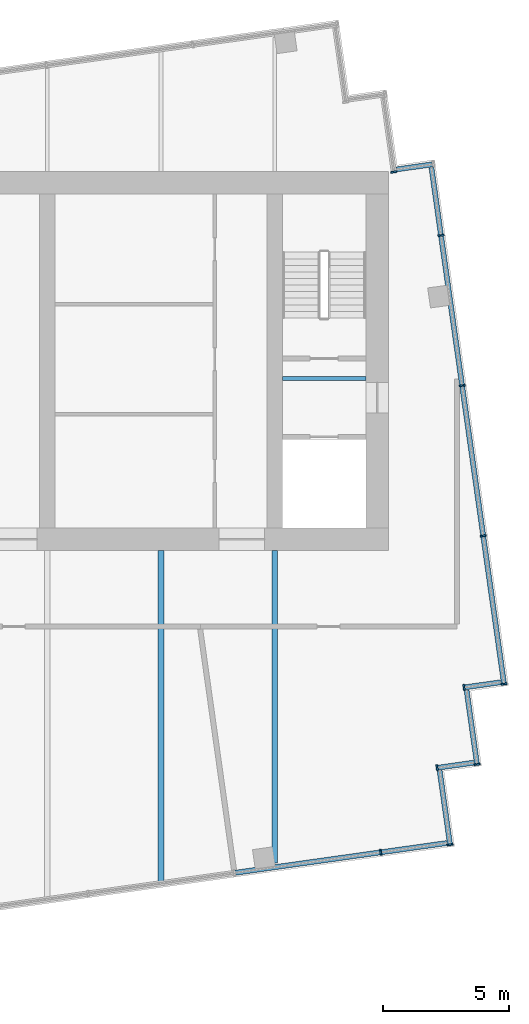
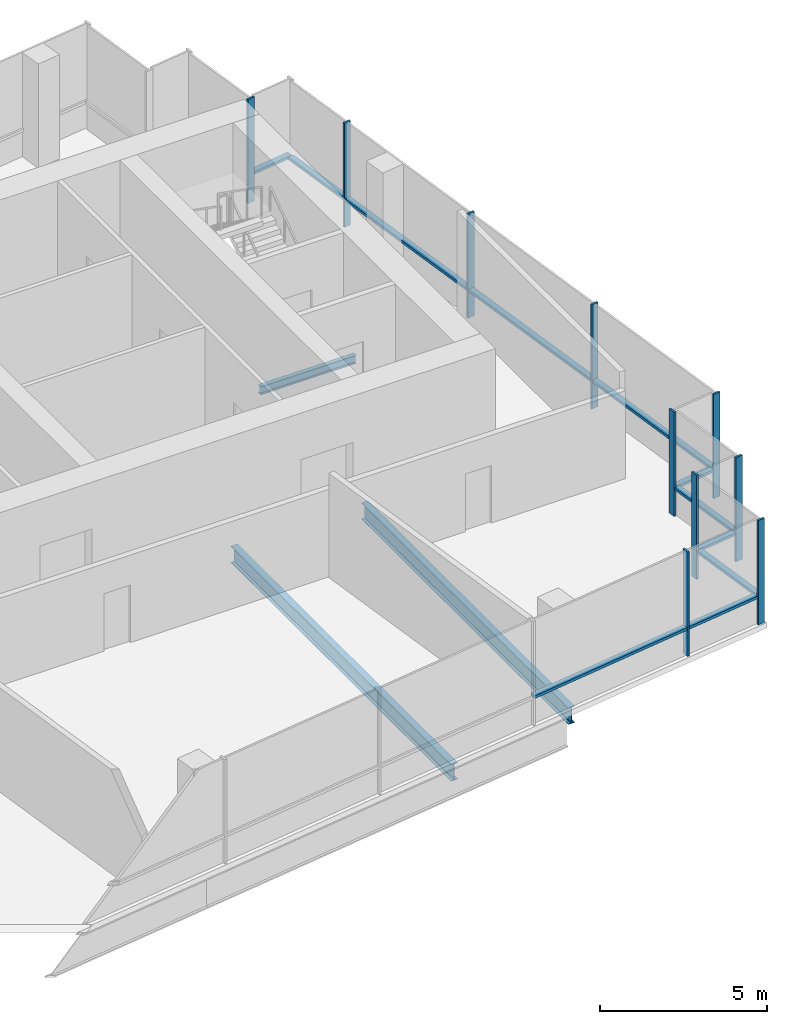
# One storey, part 4 of 9: 21 members, 3 beams, 8 elements without a shape of their own.
"""IFC4 building model written with IfcOpenShell, lengths in metres."""

from ifc_helpers import new_model, si_unit, direction, frame, origin, origin_2d, place, context, subcontext, project, spatial, rectangle, i_section, extrude, material, layer, layer_set, material_profile, profile_set, type_object, element, aggregate, save


model = new_model("IFC4")

# Units and contexts
model_context = context("Model", 3, precision=1e-05, world=origin(), true_north=direction((0.0, 1.0)))
body_context = subcontext(model_context, "Body", "Model", "MODEL_VIEW")
ifc_project = project(units=[si_unit("LENGTHUNIT", "METRE"), si_unit("AREAUNIT", "SQUARE_METRE"), si_unit("VOLUMEUNIT", "CUBIC_METRE"), si_unit("PLANEANGLEUNIT", "RADIAN"), si_unit("MASSUNIT", "GRAM", prefix="KILO")], contexts=[model_context])

# Site, building, storey
site_placement = place(None, origin())
site = spatial("IfcSite", under=ifc_project, at=site_placement, CompositionType="ELEMENT")
building_placement = place(site_placement, origin())
building = spatial("IfcBuilding", under=site, at=building_placement, Name="Rattan Terrace Tower", CompositionType="ELEMENT")
storey_placement = place(building_placement, frame((0.0, 0.0, 296.300048828125)))
storey = spatial("IfcBuildingStorey", under=building, at=storey_placement, Name="C02", CompositionType="ELEMENT", Elevation=296.300048828125)

# Beams
ifc_material_1 = material(Name="Steel S355", Category="steel")
ifc_material_profile_1 = material_profile(ifc_material_1, i_section(OverallWidth=0.14990234375, OverallDepth=0.300048828125, WebThickness=0.007080078125, FlangeThickness=0.0107421875, FilletRadius=0.014892578125, at=origin_2d()), Name="IPE 300")
ifc_profile_set_1 = profile_set([ifc_material_profile_1], Name="Steel S355")
beam_type_1 = type_object("IfcBeamType", Name="Frame floor beam IPE 300", PredefinedType="JOIST", material=ifc_profile_set_1)
beam_1_placement = place(storey_placement, frame((13.800048828125, -0.695068359375, -0.35009765625), z_axis=(1.0, 0.0, 0.0), x_axis=(0.0, 1.0, 0.0)))
element("IfcBeam", 1, at=beam_1_placement, inside=storey, type_object=beam_type_1, Name="bm-C02-002", PredefinedType="JOIST", context=body_context, shape_type="SweptSolid", body=[
    extrude(i_section(OverallWidth=0.14990234375, OverallDepth=0.300048828125, WebThickness=0.007080078125, FlangeThickness=0.0107421875, FilletRadius=0.014892578125, at=origin_2d()), origin(), (0.0, 0.0, 1.0), 3.300048828125),
])
ifc_material_2 = material(Name="Steel S355", Category="steel")
ifc_material_profile_2 = material_profile(ifc_material_2, i_section(OverallWidth=0.219970703125, OverallDepth=0.60009765625, WebThickness=0.011962890625, FlangeThickness=0.01904296875, FilletRadius=0.02392578125, at=origin_2d()), Name="IPE 600")
ifc_profile_set_2 = profile_set([ifc_material_profile_2], Name="Steel S355")
beam_type_2 = type_object("IfcBeamType", Name="Frame floor beam IPE 600", PredefinedType="JOIST", material=ifc_profile_set_2)
beam_2_placement = place(storey_placement, frame((13.5, -19.846923828125, -0.5), z_axis=(0.0, 1.0, 0.0), x_axis=(-1.0, 0.0, 0.0)))
element("IfcBeam", 2, at=beam_2_placement, inside=storey, type_object=beam_type_2, Name="bm-C02-008", PredefinedType="JOIST", context=body_context, shape_type="SweptSolid", body=[
    extrude(i_section(OverallWidth=0.219970703125, OverallDepth=0.60009765625, WebThickness=0.011962890625, FlangeThickness=0.01904296875, FilletRadius=0.02392578125, at=origin_2d()), origin(), (0.0, 0.0, 1.0), 12.346923828125),
])
ifc_material_3 = material(Name="Steel S355", Category="steel")
ifc_material_profile_3 = material_profile(ifc_material_3, i_section(OverallWidth=0.22412109375, OverallDepth=0.610107421875, WebThickness=0.014892578125, FlangeThickness=0.02392578125, FilletRadius=0.02392578125, at=origin_2d()), Name="IPE O 600")
ifc_profile_set_3 = profile_set([ifc_material_profile_3], Name="Steel S355")
beam_type_3 = type_object("IfcBeamType", Name="Frame floor beam IPE O 600", PredefinedType="JOIST", material=ifc_profile_set_3)
beam_3_placement = place(storey_placement, frame((9.0, -20.64501953125, -0.505126953125), z_axis=(0.0, 1.0, 0.0), x_axis=(-1.0, 0.0, 0.0)))
element("IfcBeam", 3, at=beam_3_placement, inside=storey, type_object=beam_type_3, Name="bm-C02-007", PredefinedType="JOIST", context=body_context, shape_type="SweptSolid", body=[
    extrude(i_section(OverallWidth=0.22412109375, OverallDepth=0.610107421875, WebThickness=0.014892578125, FlangeThickness=0.02392578125, FilletRadius=0.02392578125, at=origin_2d()), origin(), (0.0, 0.0, 1.0), 13.14501953125),
])

# Curtain wall, member
ifc_material_4 = material(Name="Aluminium and laminated glass", Category="aluminium")
ifc_layer = layer(ifc_material_4, 0.239990234375)
ifc_layer_set = layer_set([ifc_layer], Name="Lantern Stick Curtain Wall")
curtain_wall_type = type_object("IfcCurtainWallType", Name="Lantern Stick Curtain Wall", PredefinedType="NOTDEFINED", material=ifc_layer_set)
curtain_wall_1_placement = place(storey_placement, origin())
curtain_wall_1 = element("IfcCurtainWall", 4, at=curtain_wall_1_placement, inside=storey, type_object=curtain_wall_type, Name="Lantern curtain wall C02-6", PredefinedType="NOTDEFINED")
ifc_material_5 = material(Name="Aluminium", Category="aluminium")
ifc_material_profile_4 = material_profile(ifc_material_5, rectangle(XDim=0.070068359375, YDim=0.239990234375, at=origin_2d()), Name="Aluminium 70x240")
ifc_profile_set_4 = profile_set([ifc_material_profile_4], Name="Aluminium")
member_type_1 = type_object("IfcMemberType", Name="Lantern CW Mullion 70x240", PredefinedType="MULLION", material=ifc_profile_set_4)
member_1_placement = place(storey_placement, frame((17.69189453125, -19.433837890625, 0.0), z_axis=(0.0, 0.0, 1.0), x_axis=(0.990266952226, 0.13918104515, 0.0)))
member_1 = element("IfcMember", 5, at=member_1_placement, type_object=member_type_1, Name="Mullion cwl-C02-006.7", PredefinedType="MULLION", context=body_context, shape_type="SweptSolid", body=[
    extrude(rectangle(XDim=0.070068359375, YDim=0.239990234375, at=origin_2d()), origin(), (0.0, 0.0, 1.0), 3.800048828125),
])

curtain_wall_2_placement = place(storey_placement, origin())
curtain_wall_2 = element("IfcCurtainWall", 6, at=curtain_wall_2_placement, inside=storey, type_object=curtain_wall_type, Name="Lantern curtain wall C02-7", PredefinedType="NOTDEFINED")
member_2_placement = place(storey_placement, frame((20.431884765625, -19.134521484375, 0.0), z_axis=(0.0, 0.0, 1.0), x_axis=(-0.139040257974, 0.990286729519, 0.0)))
member_2 = element("IfcMember", 7, at=member_2_placement, type_object=member_type_1, Name="Mullion cwl-C02-007.1", PredefinedType="MULLION", context=body_context, shape_type="SweptSolid", body=[
    extrude(rectangle(XDim=0.070068359375, YDim=0.239990234375, at=origin_2d()), origin(), (0.0, 0.0, 1.0), 3.800048828125),
])

curtain_wall_3_placement = place(storey_placement, origin())
curtain_wall_3 = element("IfcCurtainWall", 8, at=curtain_wall_3_placement, inside=storey, type_object=curtain_wall_type, Name="Lantern curtain wall C02-8", PredefinedType="NOTDEFINED")
member_3_placement = place(storey_placement, frame((19.9189453125, -16.09228515625, 0.0), z_axis=(0.0, 0.0, 1.0), x_axis=(0.990227803001, 0.139459306479, 0.0)))
member_3 = element("IfcMember", 9, at=member_3_placement, type_object=member_type_1, Name="Mullion cwl-C02-008.1", PredefinedType="MULLION", context=body_context, shape_type="SweptSolid", body=[
    extrude(rectangle(XDim=0.070068359375, YDim=0.239990234375, at=origin_2d()), origin(), (0.0, 0.0, 1.0), 3.800048828125),
])

curtain_wall_4_placement = place(storey_placement, origin())
curtain_wall_4 = element("IfcCurtainWall", 10, at=curtain_wall_4_placement, inside=storey, type_object=curtain_wall_type, Name="Lantern curtain wall C02-9", PredefinedType="NOTDEFINED")
member_4_placement = place(storey_placement, frame((21.498779296875, -15.95556640625, 0.0), z_axis=(0.0, 0.0, 1.0), x_axis=(-0.139367219175, 0.990240767803, 0.0)))
member_4 = element("IfcMember", 11, at=member_4_placement, type_object=member_type_1, Name="Mullion cwl-C02-009.1", PredefinedType="MULLION", context=body_context, shape_type="SweptSolid", body=[
    extrude(rectangle(XDim=0.070068359375, YDim=0.239990234375, at=origin_2d()), origin(), (0.0, 0.0, 1.0), 3.800048828125),
])

curtain_wall_5_placement = place(storey_placement, origin())
curtain_wall_5 = element("IfcCurtainWall", 12, at=curtain_wall_5_placement, inside=storey, type_object=curtain_wall_type, Name="Lantern curtain wall C02-10", PredefinedType="NOTDEFINED")
member_5_placement = place(storey_placement, frame((20.98486328125, -12.9130859375, 0.0), z_axis=(0.0, 0.0, 1.0), x_axis=(0.99025370695, 0.139275252184, 0.0)))
member_5 = element("IfcMember", 13, at=member_5_placement, type_object=member_type_1, Name="Mullion cwl-C02-010.1", PredefinedType="MULLION", context=body_context, shape_type="SweptSolid", body=[
    extrude(rectangle(XDim=0.070068359375, YDim=0.239990234375, at=origin_2d()), origin(), (0.0, 0.0, 1.0), 3.800048828125),
])

# Curtain wall, members
curtain_wall_6_placement = place(storey_placement, origin())
curtain_wall_6 = element("IfcCurtainWall", 14, at=curtain_wall_6_placement, inside=storey, type_object=curtain_wall_type, Name="Lantern curtain wall C02-11", PredefinedType="NOTDEFINED")
member_6_placement = place(storey_placement, frame((22.56689453125, -12.776611328125, 0.0), z_axis=(0.0, 0.0, 1.0), x_axis=(-0.139187707455, 0.990266015823, 0.0)))
member_6 = element("IfcMember", 15, at=member_6_placement, type_object=member_type_1, Name="Mullion cwl-C02-011.1", PredefinedType="MULLION", context=body_context, shape_type="SweptSolid", body=[
    extrude(rectangle(XDim=0.070068359375, YDim=0.239990234375, at=origin_2d()), origin(), (0.0, 0.0, 1.0), 3.800048828125),
])
member_7_placement = place(storey_placement, frame((21.74365234375, -6.919189453125, 0.0), z_axis=(0.0, 0.0, 1.0), x_axis=(-0.139187707455, 0.990266015823, 0.0)))
member_7 = element("IfcMember", 16, at=member_7_placement, type_object=member_type_1, Name="Mullion cwl-C02-011.2", PredefinedType="MULLION", context=body_context, shape_type="SweptSolid", body=[
    extrude(rectangle(XDim=0.070068359375, YDim=0.239990234375, at=origin_2d()), origin(), (0.0, 0.0, 1.0), 3.800048828125),
])
member_8_placement = place(storey_placement, frame((20.908447265625, -0.9775390625, 0.0), z_axis=(0.0, 0.0, 1.0), x_axis=(-0.139187707455, 0.990266015823, 0.0)))
member_8 = element("IfcMember", 17, at=member_8_placement, type_object=member_type_1, Name="Mullion cwl-C02-011.3", PredefinedType="MULLION", context=body_context, shape_type="SweptSolid", body=[
    extrude(rectangle(XDim=0.070068359375, YDim=0.239990234375, at=origin_2d()), origin(), (0.0, 0.0, 1.0), 3.800048828125),
])
member_9_placement = place(storey_placement, frame((20.0732421875, 4.964111328125, 0.0), z_axis=(0.0, 0.0, 1.0), x_axis=(-0.139187707455, 0.990266015823, 0.0)))
member_9 = element("IfcMember", 18, at=member_9_placement, type_object=member_type_1, Name="Mullion cwl-C02-011.4", PredefinedType="MULLION", context=body_context, shape_type="SweptSolid", body=[
    extrude(rectangle(XDim=0.070068359375, YDim=0.239990234375, at=origin_2d()), origin(), (0.0, 0.0, 1.0), 3.800048828125),
])

# Curtain wall, member
curtain_wall_7_placement = place(storey_placement, origin())
curtain_wall_7 = element("IfcCurtainWall", 19, at=curtain_wall_7_placement, inside=storey, type_object=curtain_wall_type, Name="Lantern curtain wall C02-13", PredefinedType="NOTDEFINED")
member_10_placement = place(storey_placement, frame((18.207275390625, 7.473876953125, 0.0), z_axis=(0.0, 0.0, 1.0), x_axis=(-0.139555918709, 0.990214191755, 0.0)))
member_10 = element("IfcMember", 20, at=member_10_placement, type_object=member_type_1, Name="Mullion cwl-C02-013.1", PredefinedType="MULLION", context=body_context, shape_type="SweptSolid", body=[
    extrude(rectangle(XDim=0.070068359375, YDim=0.239990234375, at=origin_2d()), origin(), (0.0, 0.0, 1.0), 3.800048828125),
])
aggregate(curtain_wall_7, [member_10])

# Member
ifc_material_6 = material(Name="Aluminium", Category="aluminium")
ifc_material_profile_5 = material_profile(ifc_material_6, rectangle(XDim=0.199951171875, YDim=0.10009765625, at=origin_2d()), Name="Aluminium 200x100")
ifc_profile_set_5 = profile_set([ifc_material_profile_5], Name="Aluminium")
member_type_2 = type_object("IfcMemberType", Name="Lantern CW Transom 200x100", PredefinedType="USERDEFINED", material=ifc_profile_set_5)
member_11_placement = place(storey_placement, frame((11.9375, -20.242431640625, 1.0), z_axis=(0.99027150937, 0.139148617417, 0.0), x_axis=(-0.139148617417, 0.99027150937, 0.0)))
member_11 = element("IfcMember", 21, at=member_11_placement, type_object=member_type_2, Name="Transom cwl-C02-006.6", ObjectType="TRANSOM", PredefinedType="USERDEFINED", context=body_context, shape_type="SweptSolid", body=[
    extrude(rectangle(XDim=0.199951171875, YDim=0.10009765625, at=origin_2d()), origin(), (0.0, 0.0, 1.0), 5.77587890625),
])

member_12_placement = place(storey_placement, frame((17.7265625, -19.428955078125, 1.0), z_axis=(0.990256983473, 0.139251953963, 0.0), x_axis=(-0.139251953963, 0.990256983473, 0.0)))
member_12 = element("IfcMember", 22, at=member_12_placement, type_object=member_type_2, Name="Transom cwl-C02-006.7", ObjectType="TRANSOM", PredefinedType="USERDEFINED", context=body_context, shape_type="SweptSolid", body=[
    extrude(rectangle(XDim=0.199951171875, YDim=0.10009765625, at=origin_2d()), origin(), (0.0, 0.0, 1.0), 2.60009765625),
])

aggregate(curtain_wall_1, [member_1, member_11, member_12])

member_13_placement = place(storey_placement, frame((20.427001953125, -19.099853515625, 1.0), z_axis=(-0.139028781454, 0.990288340801, 0.0), x_axis=(-0.990288340801, -0.139028781454, 0.0)))
member_13 = element("IfcMember", 23, at=member_13_placement, type_object=member_type_2, Name="Transom cwl-C02-007.1", ObjectType="TRANSOM", PredefinedType="USERDEFINED", context=body_context, shape_type="SweptSolid", body=[
    extrude(rectangle(XDim=0.199951171875, YDim=0.10009765625, at=origin_2d()), origin(), (0.0, 0.0, 1.0), 2.92919921875),
])

aggregate(curtain_wall_2, [member_2, member_13])

member_14_placement = place(storey_placement, frame((19.95361328125, -16.08740234375, 1.0), z_axis=(0.990227834808, 0.139459080636, 0.0), x_axis=(-0.139459080636, 0.990227834808, 0.0)))
member_14 = element("IfcMember", 24, at=member_14_placement, type_object=member_type_2, Name="Transom cwl-C02-008.1", ObjectType="TRANSOM", PredefinedType="USERDEFINED", context=body_context, shape_type="SweptSolid", body=[
    extrude(rectangle(XDim=0.199951171875, YDim=0.10009765625, at=origin_2d()), origin(), (0.0, 0.0, 1.0), 1.428466796875),
])

aggregate(curtain_wall_3, [member_3, member_14])

member_15_placement = place(storey_placement, frame((21.493896484375, -15.9208984375, 1.0), z_axis=(-0.139355716724, 0.990242386599, 0.0), x_axis=(-0.990242386599, -0.139355716724, 0.0)))
member_15 = element("IfcMember", 25, at=member_15_placement, type_object=member_type_2, Name="Transom cwl-C02-009.1", ObjectType="TRANSOM", PredefinedType="USERDEFINED", context=body_context, shape_type="SweptSolid", body=[
    extrude(rectangle(XDim=0.199951171875, YDim=0.10009765625, at=origin_2d()), origin(), (0.0, 0.0, 1.0), 2.92919921875),
])

aggregate(curtain_wall_4, [member_4, member_15])

member_16_placement = place(storey_placement, frame((21.01953125, -12.908203125, 1.0), z_axis=(0.990257681856, 0.139246987488, 0.0), x_axis=(-0.139246987488, 0.990257681856, 0.0)))
member_16 = element("IfcMember", 26, at=member_16_placement, type_object=member_type_2, Name="Transom cwl-C02-010.1", ObjectType="TRANSOM", PredefinedType="USERDEFINED", context=body_context, shape_type="SweptSolid", body=[
    extrude(rectangle(XDim=0.199951171875, YDim=0.10009765625, at=origin_2d()), origin(), (0.0, 0.0, 1.0), 1.4306640625),
])

aggregate(curtain_wall_5, [member_5, member_16])

member_17_placement = place(storey_placement, frame((22.56201171875, -12.741943359375, 1.0), z_axis=(-0.139216432116, 0.990261977978, 0.0), x_axis=(-0.990261977978, -0.139216432116, 0.0)))
member_17 = element("IfcMember", 27, at=member_17_placement, type_object=member_type_2, Name="Transom cwl-C02-011.1", ObjectType="TRANSOM", PredefinedType="USERDEFINED", context=body_context, shape_type="SweptSolid", body=[
    extrude(rectangle(XDim=0.199951171875, YDim=0.10009765625, at=origin_2d()), origin(), (0.0, 0.0, 1.0), 5.844970703125),
])

member_18_placement = place(storey_placement, frame((21.73876953125, -6.884521484375, 1.0), z_axis=(-0.139196165956, 0.990264826894, 0.0), x_axis=(-0.990264826894, -0.139196165956, 0.0)))
member_18 = element("IfcMember", 28, at=member_18_placement, type_object=member_type_2, Name="Transom cwl-C02-011.2", ObjectType="TRANSOM", PredefinedType="USERDEFINED", context=body_context, shape_type="SweptSolid", body=[
    extrude(rectangle(XDim=0.199951171875, YDim=0.10009765625, at=origin_2d()), origin(), (0.0, 0.0, 1.0), 5.929931640625),
])

member_19_placement = place(storey_placement, frame((20.903564453125, -0.94287109375, 1.0), z_axis=(-0.139196165956, 0.990264826894, 0.0), x_axis=(-0.990264826894, -0.139196165956, 0.0)))
member_19 = element("IfcMember", 29, at=member_19_placement, type_object=member_type_2, Name="Transom cwl-C02-011.3", ObjectType="TRANSOM", PredefinedType="USERDEFINED", context=body_context, shape_type="SweptSolid", body=[
    extrude(rectangle(XDim=0.199951171875, YDim=0.10009765625, at=origin_2d()), origin(), (0.0, 0.0, 1.0), 5.929931640625),
])

member_20_placement = place(storey_placement, frame((20.068359375, 4.998779296875, 1.0), z_axis=(-0.139159755343, 0.990269944254, 0.0), x_axis=(-0.990269944254, -0.139159755343, 0.0)))
member_20 = element("IfcMember", 30, at=member_20_placement, type_object=member_type_2, Name="Transom cwl-C02-011.4", ObjectType="TRANSOM", PredefinedType="USERDEFINED", context=body_context, shape_type="SweptSolid", body=[
    extrude(rectangle(XDim=0.199951171875, YDim=0.10009765625, at=origin_2d()), origin(), (0.0, 0.0, 1.0), 2.675537109375),
])

aggregate(curtain_wall_6, [member_6, member_7, member_8, member_9, member_17, member_18, member_19, member_20])

# Curtain wall, member
curtain_wall_8_placement = place(storey_placement, origin())
curtain_wall_8 = element("IfcCurtainWall", 31, at=curtain_wall_8_placement, inside=storey, type_object=curtain_wall_type, Name="Lantern curtain wall C02-12", PredefinedType="NOTDEFINED")
member_21_placement = place(storey_placement, frame((19.728759765625, 7.77392578125, 1.0), z_axis=(-0.990227834808, -0.139459080636, 0.0), x_axis=(0.139459080636, -0.990227834808, 0.0)))
member_21 = element("IfcMember", 32, at=member_21_placement, type_object=member_type_2, Name="Transom cwl-C02-012.1", ObjectType="TRANSOM", PredefinedType="USERDEFINED", context=body_context, shape_type="SweptSolid", body=[
    extrude(rectangle(XDim=0.199951171875, YDim=0.10009765625, at=origin_2d()), origin(), (0.0, 0.0, 1.0), 1.428466796875),
])
aggregate(curtain_wall_8, [member_21])

save(model, "model.ifc")
